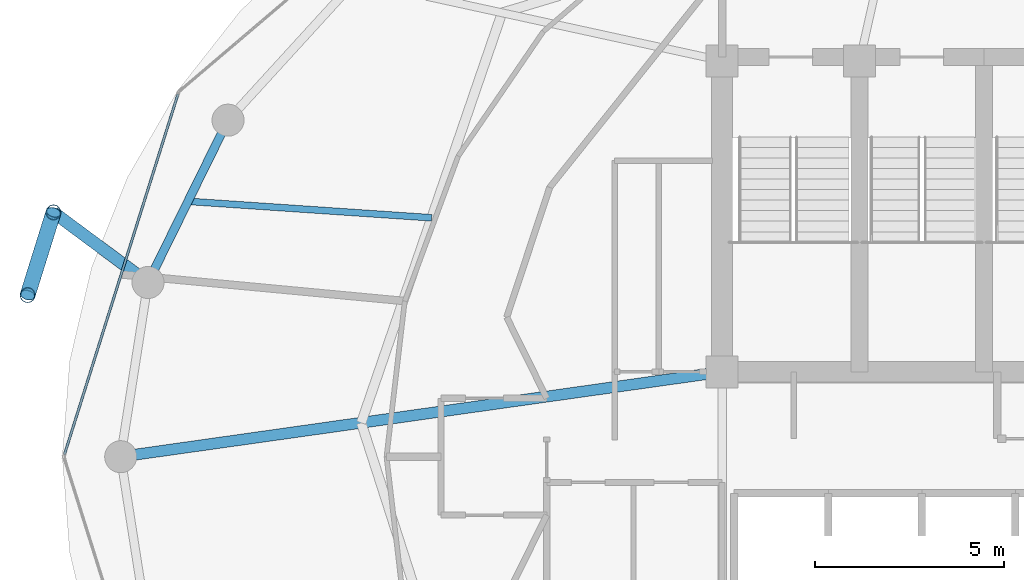
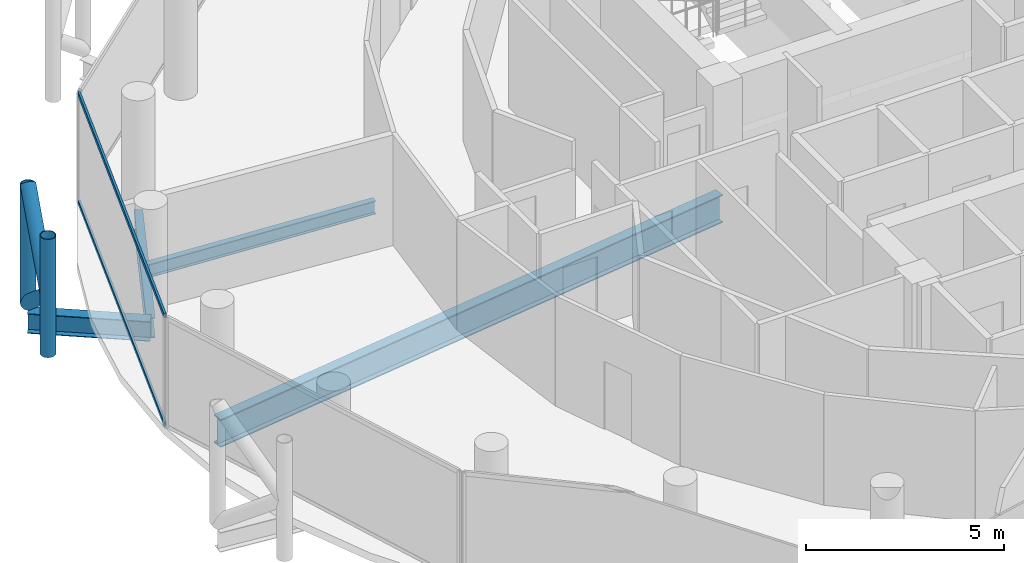
# One storey, part 8 of 27: 6 members, 4 beams, 1 element without a shape of its own.
"""IFC4 building model written with IfcOpenShell, lengths in metres."""

from ifc_helpers import new_model, si_unit, direction, frame, origin, origin_2d, place, context, subcontext, project, spatial, hollow_rectangle, hollow_circle, i_section, extrude, material, layer, layer_set, material_profile, profile_set, type_object, element, aggregate, save


model = new_model("IFC4")

# Units and contexts
model_context = context("Model", 3, precision=1e-05, world=origin(), true_north=direction((0.0, 1.0)))
body_context = subcontext(model_context, "Body", "Model", "MODEL_VIEW")
ifc_project = project(units=[si_unit("LENGTHUNIT", "METRE"), si_unit("AREAUNIT", "SQUARE_METRE"), si_unit("VOLUMEUNIT", "CUBIC_METRE"), si_unit("PLANEANGLEUNIT", "RADIAN"), si_unit("MASSUNIT", "GRAM", prefix="KILO")], contexts=[model_context])

# Site, building, storey
site_placement = place(None, origin())
site = spatial("IfcSite", under=ifc_project, at=site_placement, CompositionType="ELEMENT")
building_placement = place(site_placement, origin())
building = spatial("IfcBuilding", under=site, at=building_placement, Name="Nuhasar Tower", CompositionType="ELEMENT")
storey_placement = place(building_placement, frame((0.0, 0.0, 244.64990234375)))
storey = spatial("IfcBuildingStorey", under=building, at=storey_placement, Name="L60", CompositionType="ELEMENT", Elevation=244.64990234375)

# Beams
ifc_material_1 = material(Name="Steel S355", Category="steel")
ifc_material_profile_1 = material_profile(ifc_material_1, i_section(OverallWidth=0.177978515625, OverallDepth=0.406005859375, WebThickness=0.0078125, FlangeThickness=0.0126953125, at=origin_2d()), Name="W16X40")
ifc_profile_set_1 = profile_set([ifc_material_profile_1], Name="Steel S355")
beam_type_1 = type_object("IfcBeamType", Name="BM-JST-W16X40", PredefinedType="JOIST", material=ifc_profile_set_1)
beam_1_placement = place(storey_placement, frame((25.9970703125, 33.135986328125, -0.44287109375), z_axis=(-0.997721156568, 0.067472170095, 0.0), x_axis=(-0.067472170095, -0.997721156568, 0.0)))
element("IfcBeam", 1, at=beam_1_placement, inside=storey, type_object=beam_type_1, Name="L60 Secondary Floor Joist 07", PredefinedType="JOIST", context=body_context, shape_type="SweptSolid", body=[
    extrude(i_section(OverallWidth=0.177978515625, OverallDepth=0.406005859375, WebThickness=0.0078125, FlangeThickness=0.0126953125, at=origin_2d()), origin(), (0.0, 0.0, 1.0), 6.476806640625),
])
ifc_material_profile_2 = material_profile(ifc_material_1, i_section(OverallWidth=0.2919921875, OverallDepth=0.85888671875, WebThickness=0.01708984375, FlangeThickness=0.031005859375, at=origin_2d()), Name="W33X169")
ifc_profile_set_2 = profile_set([ifc_material_profile_2], Name="Steel S355")
beam_type_2 = type_object("IfcBeamType", Name="BM-POD-W33X169", PredefinedType="BEAM", material=ifc_profile_set_2)
beam_2_placement = place(storey_placement, frame((33.699951171875, 29.050048828125, -0.6689453125), z_axis=(-0.990196233464, -0.139683281866, 0.0), x_axis=(0.139683281866, -0.990196233464, 0.0)))
element("IfcBeam", 2, at=beam_2_placement, inside=storey, type_object=beam_type_2, Name="L60 Radial Floor Girder 08", PredefinedType="BEAM", context=body_context, shape_type="SweptSolid", body=[
    extrude(i_section(OverallWidth=0.2919921875, OverallDepth=0.85888671875, WebThickness=0.01708984375, FlangeThickness=0.031005859375, at=origin_2d()), origin(), (0.0, 0.0, 1.0), 16.10791015625),
])
ifc_material_profile_3 = material_profile(ifc_material_1, i_section(OverallWidth=0.22802734375, OverallDepth=0.60791015625, WebThickness=0.01123046875, FlangeThickness=0.017333984375, at=origin_2d()), Name="W24X76")
ifc_profile_set_3 = profile_set([ifc_material_profile_3], Name="Steel S355")
beam_type_3 = type_object("IfcBeamType", Name="BM-RING-W24X76", PredefinedType="SPANDREL", material=ifc_profile_set_3)
beam_3_placement = place(storey_placement, frame((20.596923828125, 35.72509765625, -0.5439453125), z_axis=(-0.442242604409, -0.896895467067, 0.0), x_axis=(0.896895467067, -0.442242604409, 0.0)))
element("IfcBeam", 3, at=beam_3_placement, inside=storey, type_object=beam_type_3, Name="L60 Perimeter Ring Spandrel 11", PredefinedType="SPANDREL", context=body_context, shape_type="SweptSolid", body=[
    extrude(i_section(OverallWidth=0.22802734375, OverallDepth=0.60791015625, WebThickness=0.01123046875, FlangeThickness=0.017333984375, at=origin_2d()), origin(), (0.0, 0.0, 1.0), 4.800048828125),
])
ifc_material_profile_4 = material_profile(ifc_material_1, i_section(OverallWidth=0.323974609375, OverallDepth=0.611083984375, WebThickness=0.0126953125, FlangeThickness=0.01904296875, at=origin_2d()), Name="W24X104")
ifc_profile_set_4 = profile_set([ifc_material_profile_4], Name="Steel S355")
beam_type_4 = type_object("IfcBeamType", Name="BM-TIE-W24X104", PredefinedType="BEAM", material=ifc_profile_set_4)
beam_4_placement = place(storey_placement, frame((18.47412109375, 31.419921875, -0.544921875), z_axis=(-0.802945922723, 0.596051881285, 0.0), x_axis=(-0.596051881285, -0.802945922723, 0.0)))
element("IfcBeam", 4, at=beam_4_placement, inside=storey, type_object=beam_type_4, Name="L60 Exoskeleton Node Tie Beam 06", PredefinedType="BEAM", context=body_context, shape_type="SweptSolid", body=[
    extrude(i_section(OverallWidth=0.323974609375, OverallDepth=0.611083984375, WebThickness=0.0126953125, FlangeThickness=0.01904296875, at=origin_2d()), origin(), (0.0, 0.0, 1.0), 3.122314453125),
])

# Curtain wall, members
ifc_material_2 = material(Name="Aluminium 6063-T6", Category="aluminium")
ifc_layer = layer(ifc_material_2, 0.18994140625)
ifc_layer_set = layer_set([ifc_layer], Name="Aluminium 6063-T6")
curtain_wall_type = type_object("IfcCurtainWallType", Name="CW-Z3-RES", PredefinedType="NOTDEFINED", material=ifc_layer_set)
curtain_wall_placement = place(storey_placement, origin())
curtain_wall = element("IfcCurtainWall", 5, at=curtain_wall_placement, inside=storey, type_object=curtain_wall_type, Name="L60 Unitised Curtain Wall 06", PredefinedType="NOTDEFINED")
ifc_material_profile_5 = material_profile(ifc_material_2, hollow_rectangle(XDim=0.06494140625, YDim=0.139892578125, WallThickness=0.00439453125, at=origin_2d()), Name="CWT-4")
ifc_profile_set_5 = profile_set([ifc_material_profile_5], Name="Aluminium 6063-T6")
member_type_1 = type_object("IfcMemberType", Name="CW-TRN-S4", PredefinedType="USERDEFINED", material=ifc_profile_set_5)
member_1_placement = place(storey_placement, frame((19.26953125, 36.41796875, 0.03271484375), z_axis=(-0.300437373386, -0.953801543652, 0.0), x_axis=(0.953801543652, -0.300437373386, 0.0)))
member_1 = element("IfcMember", 6, at=member_1_placement, type_object=member_type_1, Name="CW-Z3 transom 1.1", ObjectType="TRANSOM", PredefinedType="USERDEFINED", context=body_context, shape_type="SweptSolid", body=[
    extrude(hollow_rectangle(XDim=0.06494140625, YDim=0.139892578125, WallThickness=0.00439453125, at=origin_2d()), origin(), (0.0, 0.0, 1.0), 10.018798828125),
])
member_2_placement = place(storey_placement, frame((19.26953125, 36.41796875, 3.377685546875), z_axis=(-0.300437373386, -0.953801543652, 0.0), x_axis=(0.953801543652, -0.300437373386, 0.0)))
member_2 = element("IfcMember", 7, at=member_2_placement, type_object=member_type_1, Name="CW-Z3 transom 1.2", ObjectType="TRANSOM", PredefinedType="USERDEFINED", context=body_context, shape_type="SweptSolid", body=[
    extrude(hollow_rectangle(XDim=0.06494140625, YDim=0.139892578125, WallThickness=0.00439453125, at=origin_2d()), origin(), (0.0, 0.0, 1.0), 10.018798828125),
])
aggregate(curtain_wall, [member_1, member_2])

# Members
ifc_material_3 = material(Name="Steel S460", Category="steel")
ifc_material_profile_6 = material_profile(ifc_material_3, hollow_circle(Radius=0.203125, WallThickness=0.01904296875, at=origin_2d()), Name="HSS406.4X19.1")
ifc_profile_set_6 = profile_set([ifc_material_profile_6], Name="Steel S460")
member_type_2 = type_object("IfcMemberType", Name="EXO-BRONZE-406", PredefinedType="BRACE", material=ifc_profile_set_6)
for number, where, z_axis, x_axis, name in (
    (8, (15.967041015625, 33.281005859375, 0.0), (0.0, 0.0, 1.0), (1.0, 0.0, 0.0), "L60 Exoskeleton Chord Column EC-06A"),
    (9, (15.281982421875, 31.0859375, 0.0), (0.0, 0.0, 1.0), (1.0, 0.0, 0.0), "L60 Exoskeleton Chord Column EC-06B"),
):
    element("IfcMember", number, at=place(storey_placement, frame(where, z_axis=z_axis, x_axis=x_axis)), inside=storey, type_object=member_type_2, Name=name, PredefinedType="BRACE", context=body_context, shape_type="SweptSolid", body=[
        extrude(hollow_circle(Radius=0.203125, WallThickness=0.01904296875, at=origin_2d()), origin(), (0.0, 0.0, 1.0), 3.650146484375),
    ])
member_3_placement = place(storey_placement, frame((15.967041015625, 33.281005859375, 0.0), z_axis=(-0.233345847503, -0.747687995332, 0.621701195985), x_axis=(0.954591372974, -0.297918295247, 0.0)))
element("IfcMember", 10, at=member_3_placement, inside=storey, type_object=member_type_2, Name="L60 Bronze Diagrid Brace W1-06", PredefinedType="BRACE", context=body_context, shape_type="SweptSolid", body=[
    extrude(hollow_circle(Radius=0.203125, WallThickness=0.01904296875, at=origin_2d()), origin(), (0.0, 0.0, 1.0), 2.935791015625),
])
member_4_placement = place(storey_placement, frame((15.281982421875, 31.0859375, 1.8251953125), z_axis=(0.233357911711, 0.747726651531, 0.621650174641), x_axis=(-0.954591372974, 0.297918295247, 0.0)))
element("IfcMember", 11, at=member_4_placement, inside=storey, type_object=member_type_2, Name="L60 Bronze Diagrid Brace W2-06", PredefinedType="BRACE", context=body_context, shape_type="SweptSolid", body=[
    extrude(hollow_circle(Radius=0.203125, WallThickness=0.01904296875, at=origin_2d()), origin(), (0.0, 0.0, 1.0), 2.935546875),
])

save(model, "model.ifc")
